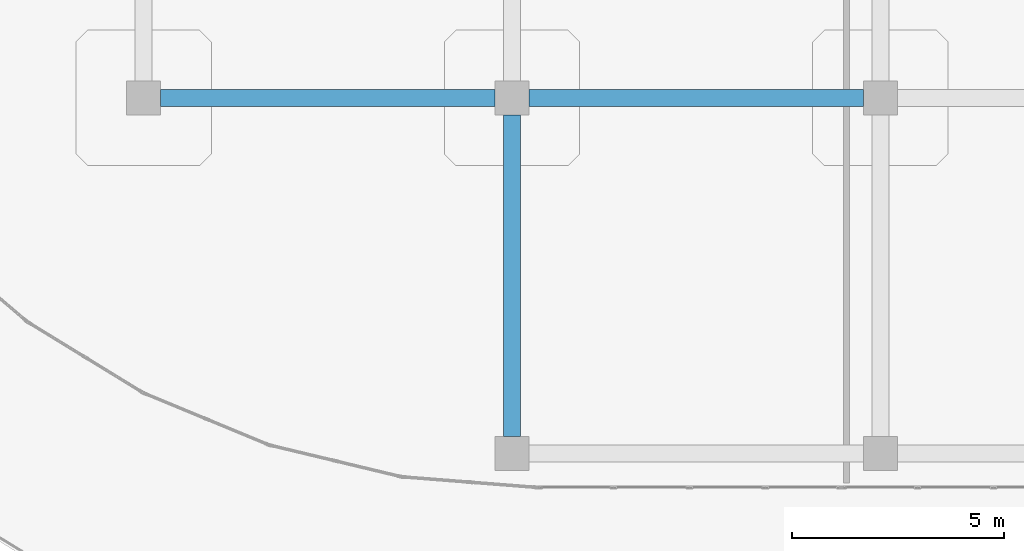
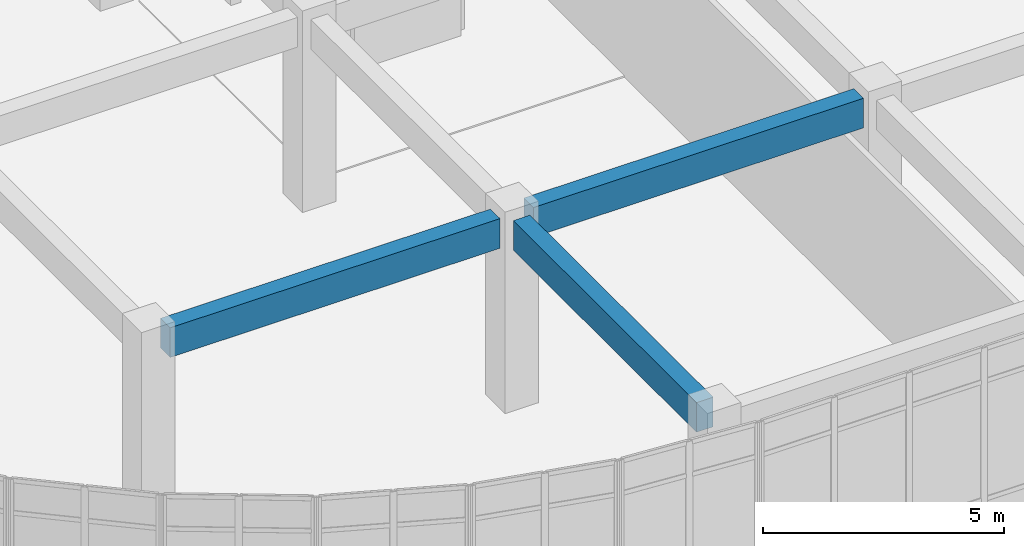
# One storey, part 9 of 96: 3 beams.
"""IFC4 building model written with IfcOpenShell, lengths in metres."""

import ifcopenshell
import ifcopenshell.guid

model = None  # the IFC model being written
_history = None  # IfcOwnerHistory: only IFC2X3 demands one
_inside = {}  # id of a spatial element -> (the spatial element, [elements in it])
_under = {}  # id of a project, library or spatial element -> (it, [spatial elements below it])
_declared = {}  # id of a project -> (the project, [libraries it declares])
_typed = {}  # id of a type object -> (the type object, [elements of that type])
_made_of = {}  # id of a material, layer set ... -> (it, [elements and type objects made of it])


def new_model(schema):
    """Start an empty IFC model of exactly this schema.

    Asked for "IFC4X3", IfcOpenShell would pick the latest addendum, in which some entities
    have other attributes; the version numbers below select the first issue.
    IFC2X3 requires an IfcOwnerHistory on every rooted entity: one is made here for all.
    """
    global model, _history
    if schema == "IFC4X3":
        model = ifcopenshell.file(schema_version=(4, 3, 0, 0))
    else:
        model = ifcopenshell.file(schema=schema)
    _inside.clear()
    _under.clear()
    _declared.clear()
    _typed.clear()
    _made_of.clear()
    _history = None
    if model.schema == "IFC2X3":
        org = make("IfcOrganization", Name="unknown")
        user = make(
            "IfcPersonAndOrganization",
            ThePerson=make("IfcPerson", FamilyName="unknown"),
            TheOrganization=org,
        )
        app = make(
            "IfcApplication",
            ApplicationDeveloper=org,
            Version="unknown",
            ApplicationFullName="unknown",
            ApplicationIdentifier="unknown",
        )
        _history = make(
            "IfcOwnerHistory",
            OwningUser=user,
            OwningApplication=app,
            ChangeAction="ADDED",
            CreationDate=0,
        )
    return model


def make(cls, **values):
    """One entity of the class cls with the attributes given. An attribute that is None is left unset."""
    return model.create_entity(
        cls, **{name: value for name, value in values.items() if value is not None}
    )


def rooted(cls, **values):
    """An entity with a GlobalId (a new one), such as an element, a storey or a relation."""
    return make(cls, GlobalId=ifcopenshell.guid.new(), OwnerHistory=_history, **values)


def si_unit(unit_type, name, prefix=None):
    """IfcSIUnit, for example si_unit("LENGTHUNIT", "METRE", prefix="MILLI")."""
    return make("IfcSIUnit", UnitType=unit_type, Prefix=prefix, Name=name)


def derived_unit(unit_type, elements):
    """IfcDerivedUnit: a product of units, each with its exponent."""
    return make(
        "IfcDerivedUnit",
        Elements=[
            make("IfcDerivedUnitElement", Unit=unit, Exponent=power)
            for unit, power in elements
        ],
        UnitType=unit_type,
    )


def assignment(units):
    """IfcUnitAssignment: the units of a project."""
    return None if units is None else make("IfcUnitAssignment", Units=units)


def point(xyz):
    """IfcCartesianPoint."""
    return None if xyz is None else make("IfcCartesianPoint", Coordinates=xyz)


def direction(xyz):
    """IfcDirection."""
    return None if xyz is None else make("IfcDirection", DirectionRatios=xyz)


def frame(location, z_axis=None, x_axis=None):
    """IfcAxis2Placement3D, a coordinate frame: its origin and axes. An axis left out is left unset."""
    return make(
        "IfcAxis2Placement3D",
        Location=point(location),
        Axis=direction(z_axis),
        RefDirection=direction(x_axis),
    )


def frame_2d(location, x_axis=None):
    """IfcAxis2Placement2D, a coordinate frame in the plane: its origin and x axis."""
    return make(
        "IfcAxis2Placement2D", Location=point(location), RefDirection=direction(x_axis)
    )


def origin():
    """The frame at (0, 0, 0) with its axes left unset."""
    return frame((0.0, 0.0, 0.0))


def origin_2d():
    """The frame at (0, 0) in the plane with its x axis left unset."""
    return frame_2d((0.0, 0.0))


def place(relative_to, where):
    """IfcLocalPlacement: puts the frame where relative to a parent placement (None: the world)."""
    return make(
        "IfcLocalPlacement", PlacementRelTo=relative_to, RelativePlacement=where
    )


def context(
    kind, dimensions, precision=None, world=None, true_north=None, identifier=None
):
    """IfcGeometricRepresentationContext, for example the 3D "Model" context."""
    return make(
        "IfcGeometricRepresentationContext",
        ContextIdentifier=identifier,
        ContextType=kind,
        CoordinateSpaceDimension=dimensions,
        Precision=precision,
        WorldCoordinateSystem=world,
        TrueNorth=true_north,
    )


def subcontext(parent, identifier, kind, view, scale=None):
    """IfcGeometricRepresentationSubContext, for example "Body" below "Model"."""
    return make(
        "IfcGeometricRepresentationSubContext",
        ContextIdentifier=identifier,
        ContextType=kind,
        ParentContext=parent,
        TargetScale=scale,
        TargetView=view,
    )


def project(units=None, contexts=None):
    """IfcProject with its units and contexts."""
    return rooted(
        "IfcProject",
        Name="project",
        RepresentationContexts=contexts,
        UnitsInContext=assignment(units),
    )


def spatial(cls, under=None, at=None, **own):
    """A site, building, storey or space (cls), placed at a placement, below another one or the project."""
    s = rooted(cls, ObjectPlacement=at, **own)
    if under is not None:
        _under.setdefault(under.id(), (under, []))[1].append(s)
    return s


def profile(cls, at=None, kind="AREA", **sizes):
    """A parametric profile (cls). Its sizes go by their IFC names, for example OverallWidth=200.0."""
    return make(cls, ProfileType=kind, Position=at, **sizes)


def rectangle(**sizes):
    """IfcRectangleProfileDef."""
    return profile("IfcRectangleProfileDef", **sizes)


def extrude(swept, where, along, depth):
    """IfcExtrudedAreaSolid: the profile swept, set in the frame where, extruded along a direction by depth."""
    return make(
        "IfcExtrudedAreaSolid",
        SweptArea=swept,
        Position=where,
        ExtrudedDirection=direction(along),
        Depth=depth,
    )


def shape(context_of_items, identifier, shape_type, items):
    """IfcShapeRepresentation: the items that make up one representation, for example the "Body"."""
    return make(
        "IfcShapeRepresentation",
        ContextOfItems=context_of_items,
        RepresentationIdentifier=identifier,
        RepresentationType=shape_type,
        Items=items,
    )


def material(Name=None, Category=None):
    """IfcMaterial."""
    return make("IfcMaterial", Name=Name, Category=Category)


def material_profile(
    of_material, cross_section, Name=None, Category=None, Priority=None
):
    """IfcMaterialProfile: a cross section and its material."""
    return make(
        "IfcMaterialProfile",
        Name=Name,
        Material=of_material,
        Profile=cross_section,
        Priority=Priority,
        Category=Category,
    )


def profile_set(profiles, Name=None, composite=None):
    """IfcMaterialProfileSet."""
    return make(
        "IfcMaterialProfileSet",
        Name=Name,
        MaterialProfiles=profiles,
        CompositeProfile=composite,
    )


def made_of(thing, what):
    """Note that an element or type object is made of a material, layer set ...; save() writes the relation."""
    if what is not None:
        _made_of.setdefault(what.id(), (what, []))[1].append(thing)
    return thing


def type_object(cls, material=None, **own):
    """A type object (cls), such as IfcWallType, which elements share."""
    return made_of(rooted(cls, **own), material)


def element(
    cls,
    number,
    at=None,
    inside=None,
    cuts=None,
    type_object=None,
    material=None,
    context=None,
    identifier="Body",
    shape_type=None,
    held_by="IfcProductDefinitionShape",
    body=None,
    shapes=None,
    **own,
):
    """One element of the class cls, such as IfcWall. Its Tag is "e" and its number.

    at: its placement. inside: the storey or other place that contains it. cuts: it is an
    opening in that element (IfcRelVoidsElement). A single representation is given by context,
    identifier, shape_type and body (its items); several are given by shapes. held_by: the class
    of the entity that holds the representations. save() writes the other relations.
    """
    e = rooted(cls, Tag="e%d" % number, ObjectPlacement=at, **own)
    if body is not None:
        shapes = [shape(context, identifier, shape_type, body)]
    if shapes is not None:
        e.Representation = make(held_by, Representations=shapes)
    if inside is not None:
        _inside.setdefault(inside.id(), (inside, []))[1].append(e)
    if cuts is not None:
        rooted(
            "IfcRelVoidsElement", RelatingBuildingElement=cuts, RelatedOpeningElement=e
        )
    if type_object is not None:
        _typed.setdefault(type_object.id(), (type_object, []))[1].append(e)
    return made_of(e, material)


def aggregate(whole, parts):
    """IfcRelAggregates: a whole, such as a stair, and the parts it consists of."""
    return rooted("IfcRelAggregates", RelatingObject=whole, RelatedObjects=parts)


def save(model, path):
    """Write the relations noted so far, then the file.

    IfcRelAggregates (storeys below a building ...), IfcRelContainedInSpatialStructure (elements
    in a storey), IfcRelDefinesByType, IfcRelAssociatesMaterial and IfcRelDeclares: one each for
    every whole, place, type object, material and project.
    """
    for whole, parts in _under.values():
        aggregate(whole, parts)
    for where, things in _inside.values():
        rooted(
            "IfcRelContainedInSpatialStructure",
            RelatedElements=things,
            RelatingStructure=where,
        )
    for kind, things in _typed.values():
        rooted("IfcRelDefinesByType", RelatedObjects=things, RelatingType=kind)
    for what, things in _made_of.values():
        rooted("IfcRelAssociatesMaterial", RelatedObjects=things, RelatingMaterial=what)
    for by, libraries in _declared.values():
        rooted("IfcRelDeclares", RelatingContext=by, RelatedDefinitions=libraries)
    model.write(path)


model = new_model("IFC4")

# Units and contexts
model_context = context("Model", 3, precision=1e-05, world=origin(), true_north=direction((0.0, 1.0)))
body_context = subcontext(model_context, "Body", "Model", "MODEL_VIEW")
ifc_project = project(units=[si_unit("LENGTHUNIT", "METRE"), si_unit("AREAUNIT", "SQUARE_METRE"), si_unit("VOLUMEUNIT", "CUBIC_METRE"), si_unit("PLANEANGLEUNIT", "RADIAN"), si_unit("MASSUNIT", "GRAM", prefix="KILO"), derived_unit("THERMALTRANSMITTANCEUNIT", [(si_unit("MASSUNIT", "GRAM", prefix="KILO"), 1), (si_unit("TIMEUNIT", "SECOND"), -3), (si_unit("THERMODYNAMICTEMPERATUREUNIT", "KELVIN"), -1)])], contexts=[model_context])

# Site, building, storey
site_placement = place(None, origin())
site = spatial("IfcSite", under=ifc_project, at=site_placement, CompositionType="ELEMENT")
building_placement = place(site_placement, origin())
building = spatial("IfcBuilding", under=site, at=building_placement, Name="Qinzheling Arcade Emporium", CompositionType="ELEMENT")
storey_placement = place(building_placement, frame((0.0, 0.0, 21.60009765625)))
storey = spatial("IfcBuildingStorey", under=building, at=storey_placement, Name="L05", CompositionType="ELEMENT", Elevation=21.60009765625)

# Beams
ifc_material = material(Name="Concrete C40", Category="concrete")
ifc_material_profile = material_profile(ifc_material, rectangle(XDim=0.39990234375, YDim=0.75, at=origin_2d()), Name="RC 400x750", Category="concrete")
ifc_profile_set = profile_set([ifc_material_profile], Name="Concrete C40")
beam_type = type_object("IfcBeamType", Name="RC Interior Tie Beam 400x750 C40", PredefinedType="BEAM", material=ifc_profile_set)
for number, where, z_axis, x_axis, name in (
    (1, (17.800048828125, 16.800048828125, 4.44482421875), (1.0, 0.0, 0.0), (0.0, 1.0, 0.0), "Beam BM-L05-X-C-3"),
    (2, (26.5, 16.800048828125, 4.44482421875), (1.0, 0.0, 0.0), (0.0, 1.0, 0.0), "Beam BM-L05-X-C-4"),
):
    element("IfcBeam", number, at=place(storey_placement, frame(where, z_axis=z_axis, x_axis=x_axis)), inside=storey, type_object=beam_type, Name=name, PredefinedType="BEAM", context=body_context, shape_type="SweptSolid", body=[
        extrude(rectangle(XDim=0.39990234375, YDim=0.75, at=origin_2d()), origin(), (0.0, 0.0, 1.0), 7.89990234375),
    ])
beam_placement = place(storey_placement, frame((26.10009765625, 8.800048828125, 4.44482421875), z_axis=(0.0, 1.0, 0.0), x_axis=(-1.0, 0.0, 0.0)))
element("IfcBeam", 3, at=beam_placement, inside=storey, type_object=beam_type, Name="Beam BM-L05-Y-4-B", PredefinedType="BEAM", context=body_context, shape_type="SweptSolid", body=[
    extrude(rectangle(XDim=0.39990234375, YDim=0.75, at=origin_2d()), origin(), (0.0, 0.0, 1.0), 7.599853515625),
])

save(model, "model.ifc")
